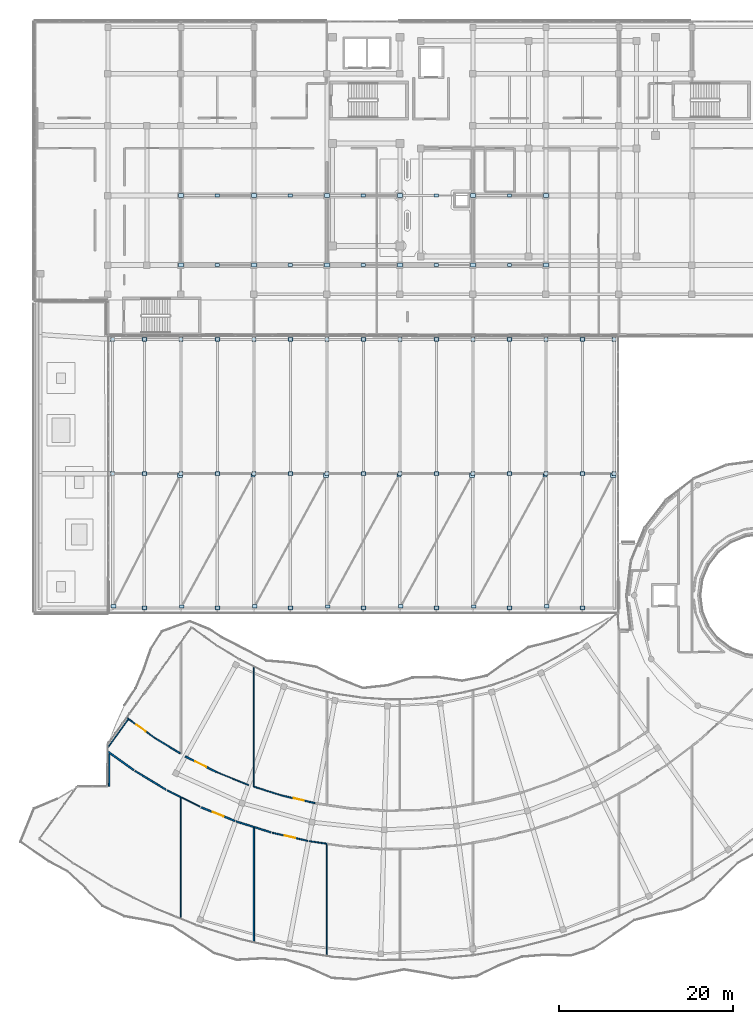
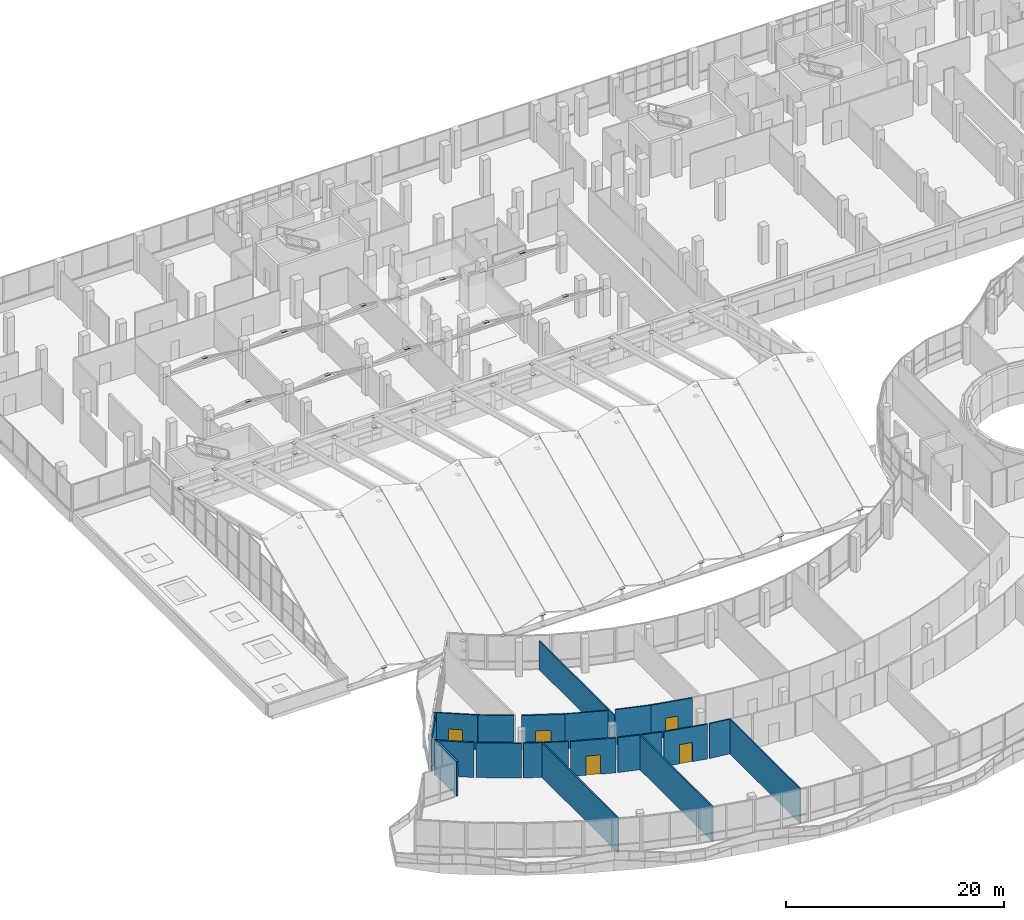
# One storey, part 159 of 184: 94 plates, 21 walls, 5 doors, 5 openings.
"""IFC4 building model written with IfcOpenShell, lengths in metres."""

from ifc_helpers import new_model, si_unit, direction, frame, frame_2d, origin, origin_2d, place, context, subcontext, project, spatial, rectangle, extrude, material, layer, layer_set, type_object, element, fill, save


model = new_model("IFC4")

# Units and contexts
model_context = context("Model", 3, precision=1e-05, world=origin(), true_north=direction((0.0, 1.0)))
body_context = subcontext(model_context, "Body", "Model", "MODEL_VIEW")
ifc_project = project(units=[si_unit("LENGTHUNIT", "METRE"), si_unit("AREAUNIT", "SQUARE_METRE"), si_unit("VOLUMEUNIT", "CUBIC_METRE"), si_unit("PLANEANGLEUNIT", "RADIAN"), si_unit("MASSUNIT", "GRAM", prefix="KILO")], contexts=[model_context])

# Site, building, storey
site_placement = place(None, origin())
site = spatial("IfcSite", under=ifc_project, at=site_placement, CompositionType="ELEMENT")
building_placement = place(site_placement, origin())
building = spatial("IfcBuilding", under=site, at=building_placement, Name="Selatvlak General Hospital", CompositionType="ELEMENT")
storey_placement = place(building_placement, frame((0.0, 0.0, 15.0)))
storey = spatial("IfcBuildingStorey", under=building, at=storey_placement, Name="L03", CompositionType="ELEMENT", Elevation=15.0)

# Plates
ifc_material_1 = material(Name="Steel S355", Category="steel")
ifc_layer_1 = layer(ifc_material_1, 0.02001953125, Name="Steel S355", Category="steel")
ifc_layer_set_1 = layer_set([ifc_layer_1], Name="Steel S355")
plate_type_1 = type_object("IfcPlateType", Name="PLT-GP-01", PredefinedType="USERDEFINED", material=ifc_layer_set_1)
for number, where, z_axis, x_axis, name in (
    (1, (39.4990234375, 67.81396484375, 6.77197265625), (0.0, 0.0, 1.0), (1.0, 0.0, 0.0), "Hall truss node gusset plate 04"),
    (2, (56.299072265625, 67.81396484375, 6.77197265625), (0.0, 0.0, 1.0), (1.0, 0.0, 0.0), "Hall truss node gusset plate 08"),
    (3, (73.09912109375, 67.81396484375, 6.77197265625), (0.0, 0.0, 1.0), (1.0, 0.0, 0.0), "Hall truss node gusset plate 12"),
    (4, (23.35009765625, 83.449951171875, 3.155029296875), (0.0, 0.0, 1.0), (1.0, 0.0, 0.0), "CHS column welded cap plate 03"),
    (5, (31.199951171875, 83.449951171875, 3.155029296875), (0.0, 0.0, 1.0), (1.0, 0.0, 0.0), "CHS column welded cap plate 06"),
    (6, (39.60009765625, 83.449951171875, 3.155029296875), (0.0, 0.0, 1.0), (1.0, 0.0, 0.0), "CHS column welded cap plate 09"),
    (7, (48.0, 83.449951171875, 3.155029296875), (0.0, 0.0, 1.0), (1.0, 0.0, 0.0), "CHS column welded cap plate 12"),
    (8, (56.39990234375, 83.449951171875, 3.155029296875), (0.0, 0.0, 1.0), (1.0, 0.0, 0.0), "CHS column welded cap plate 15"),
    (9, (64.800048828125, 83.449951171875, 3.155029296875), (0.0, 0.0, 1.0), (1.0, 0.0, 0.0), "CHS column welded cap plate 18"),
    (10, (73.199951171875, 83.449951171875, 3.155029296875), (0.0, 0.0, 1.0), (1.0, 0.0, 0.0), "CHS column welded cap plate 21"),
    (11, (81.050048828125, 83.449951171875, 3.155029296875), (0.0, 0.0, 1.0), (1.0, 0.0, 0.0), "CHS column welded cap plate 24"),
    (12, (27.0, 52.550048828125, -0.5390625), (0.0, 0.0, 1.0), (1.0, 0.0, 0.0), "Hall truss node gusset plate 015"),
    (13, (27.0, 68.0, 6.861083984375), (0.0, 0.0, 1.0), (1.0, 0.0, 0.0), "Hall truss node gusset plate 017"),
    (14, (23.35009765625, 68.0, 6.861083984375), (0.0, 0.0, 1.0), (1.0, 0.0, 0.0), "Hall truss node gusset plate 019"),
    (15, (31.199951171875, 68.0, 6.861083984375), (0.0, 0.0, 1.0), (1.0, 0.0, 0.0), "Hall truss node gusset plate 020"),
    (16, (27.0, 83.449951171875, 2.861083984375), (0.0, 0.0, 1.0), (1.0, 0.0, 0.0), "Hall truss node gusset plate 021"),
    (17, (35.39990234375, 52.550048828125, -0.5390625), (0.0, 0.0, 1.0), (1.0, 0.0, 0.0), "Hall truss node gusset plate 023"),
    (18, (35.39990234375, 68.0, 6.861083984375), (0.0, 0.0, 1.0), (1.0, 0.0, 0.0), "Hall truss node gusset plate 025"),
    (19, (39.60009765625, 68.0, 6.861083984375), (0.0, 0.0, 1.0), (1.0, 0.0, 0.0), "Hall truss node gusset plate 027"),
    (20, (35.39990234375, 83.449951171875, 2.861083984375), (0.0, 0.0, 1.0), (1.0, 0.0, 0.0), "Hall truss node gusset plate 028"),
    (21, (43.800048828125, 52.550048828125, -0.5390625), (0.0, 0.0, 1.0), (1.0, 0.0, 0.0), "Hall truss node gusset plate 030"),
    (22, (43.800048828125, 68.0, 6.861083984375), (0.0, 0.0, 1.0), (1.0, 0.0, 0.0), "Hall truss node gusset plate 032"),
    (23, (48.0, 68.0, 6.861083984375), (0.0, 0.0, 1.0), (1.0, 0.0, 0.0), "Hall truss node gusset plate 034"),
    (24, (43.800048828125, 83.449951171875, 2.861083984375), (0.0, 0.0, 1.0), (1.0, 0.0, 0.0), "Hall truss node gusset plate 035"),
    (25, (52.199951171875, 52.550048828125, -0.5390625), (0.0, 0.0, 1.0), (1.0, 0.0, 0.0), "Hall truss node gusset plate 037"),
    (26, (52.199951171875, 68.0, 6.861083984375), (0.0, 0.0, 1.0), (1.0, 0.0, 0.0), "Hall truss node gusset plate 039"),
    (27, (56.39990234375, 68.0, 6.861083984375), (0.0, 0.0, 1.0), (1.0, 0.0, 0.0), "Hall truss node gusset plate 041"),
    (28, (52.199951171875, 83.449951171875, 2.861083984375), (0.0, 0.0, 1.0), (1.0, 0.0, 0.0), "Hall truss node gusset plate 042"),
    (29, (60.60009765625, 52.550048828125, -0.5390625), (0.0, 0.0, 1.0), (1.0, 0.0, 0.0), "Hall truss node gusset plate 044"),
    (30, (60.60009765625, 68.0, 6.861083984375), (0.0, 0.0, 1.0), (1.0, 0.0, 0.0), "Hall truss node gusset plate 046"),
    (31, (64.800048828125, 68.0, 6.861083984375), (0.0, 0.0, 1.0), (1.0, 0.0, 0.0), "Hall truss node gusset plate 048"),
    (32, (60.60009765625, 83.449951171875, 2.861083984375), (0.0, 0.0, 1.0), (1.0, 0.0, 0.0), "Hall truss node gusset plate 049"),
    (33, (69.0, 52.550048828125, -0.5390625), (0.0, 0.0, 1.0), (1.0, 0.0, 0.0), "Hall truss node gusset plate 051"),
    (34, (69.0, 68.0, 6.861083984375), (0.0, 0.0, 1.0), (1.0, 0.0, 0.0), "Hall truss node gusset plate 053"),
    (35, (73.199951171875, 68.0, 6.861083984375), (0.0, 0.0, 1.0), (1.0, 0.0, 0.0), "Hall truss node gusset plate 055"),
    (36, (69.0, 83.449951171875, 2.861083984375), (0.0, 0.0, 1.0), (1.0, 0.0, 0.0), "Hall truss node gusset plate 056"),
    (37, (77.39990234375, 52.550048828125, -0.5390625), (0.0, 0.0, 1.0), (1.0, 0.0, 0.0), "Hall truss node gusset plate 058"),
    (38, (77.39990234375, 68.0, 6.861083984375), (0.0, 0.0, 1.0), (1.0, 0.0, 0.0), "Hall truss node gusset plate 060"),
    (39, (81.050048828125, 68.0, 6.861083984375), (0.0, 0.0, 1.0), (1.0, 0.0, 0.0), "Hall truss node gusset plate 062"),
    (40, (77.39990234375, 83.449951171875, 2.861083984375), (0.0, 0.0, 1.0), (1.0, 0.0, 0.0), "Hall truss node gusset plate 063"),
):
    element("IfcPlate", number, at=place(storey_placement, frame(where, z_axis=z_axis, x_axis=x_axis)), inside=storey, type_object=plate_type_1, Name=name, ObjectType="GUSSET_PLATE", PredefinedType="USERDEFINED", context=body_context, shape_type="SweptSolid", body=[
        extrude(rectangle(XDim=0.449951171875, YDim=0.449951171875, at=origin_2d()), origin(), (0.0, 0.0, 1.0), 0.02001953125),
    ])
ifc_layer_2 = layer(ifc_material_1, 0.02392578125, Name="Steel S355", Category="steel")
ifc_layer_set_2 = layer_set([ifc_layer_2], Name="Steel S355")
plate_type_2 = type_object("IfcPlateType", Name="PLT-GP-02", PredefinedType="USERDEFINED", material=ifc_layer_set_2)
for number, where, z_axis, x_axis, name in (
    (41, (23.446044921875, 52.739013671875, -0.449951171875), (0.0, 0.0, 1.0), (1.0, 0.0, 0.0), "Hall truss node gusset plate 01"),
    (42, (39.700927734375, 52.736083984375, -0.451904296875), (0.0, 0.0, 1.0), (1.0, 0.0, 0.0), "Hall truss node gusset plate 05"),
    (43, (56.5009765625, 52.736083984375, -0.451904296875), (0.0, 0.0, 1.0), (1.0, 0.0, 0.0), "Hall truss node gusset plate 09"),
    (44, (73.2958984375, 52.739013671875, -0.449951171875), (0.0, 0.0, 1.0), (1.0, 0.0, 0.0), "Hall truss node gusset plate 13"),
    (45, (27.0, 52.550048828125, 0.58203125), (0.0, 0.0, 1.0), (1.0, 0.0, 0.0), "Hall truss node gusset plate 016"),
    (46, (27.0, 68.0, 7.98193359375), (0.0, 0.0, 1.0), (1.0, 0.0, 0.0), "Hall truss node gusset plate 018"),
    (47, (27.0, 83.449951171875, 4.02099609375), (0.0, 0.0, 1.0), (1.0, 0.0, 0.0), "Hall truss node gusset plate 022"),
    (48, (35.39990234375, 52.550048828125, 0.58203125), (0.0, 0.0, 1.0), (1.0, 0.0, 0.0), "Hall truss node gusset plate 024"),
    (49, (35.39990234375, 68.0, 7.98193359375), (0.0, 0.0, 1.0), (1.0, 0.0, 0.0), "Hall truss node gusset plate 026"),
    (50, (35.39990234375, 83.449951171875, 4.02099609375), (0.0, 0.0, 1.0), (1.0, 0.0, 0.0), "Hall truss node gusset plate 029"),
    (51, (43.800048828125, 52.550048828125, 0.58203125), (0.0, 0.0, 1.0), (1.0, 0.0, 0.0), "Hall truss node gusset plate 031"),
    (52, (43.800048828125, 68.0, 7.98193359375), (0.0, 0.0, 1.0), (1.0, 0.0, 0.0), "Hall truss node gusset plate 033"),
    (53, (43.800048828125, 83.449951171875, 4.02099609375), (0.0, 0.0, 1.0), (1.0, 0.0, 0.0), "Hall truss node gusset plate 036"),
    (54, (52.199951171875, 52.550048828125, 0.58203125), (0.0, 0.0, 1.0), (1.0, 0.0, 0.0), "Hall truss node gusset plate 038"),
    (55, (52.199951171875, 68.0, 7.98193359375), (0.0, 0.0, 1.0), (1.0, 0.0, 0.0), "Hall truss node gusset plate 040"),
    (56, (52.199951171875, 83.449951171875, 4.02099609375), (0.0, 0.0, 1.0), (1.0, 0.0, 0.0), "Hall truss node gusset plate 043"),
    (57, (60.60009765625, 52.550048828125, 0.58203125), (0.0, 0.0, 1.0), (1.0, 0.0, 0.0), "Hall truss node gusset plate 045"),
    (58, (60.60009765625, 68.0, 7.98193359375), (0.0, 0.0, 1.0), (1.0, 0.0, 0.0), "Hall truss node gusset plate 047"),
    (59, (60.60009765625, 83.449951171875, 4.02099609375), (0.0, 0.0, 1.0), (1.0, 0.0, 0.0), "Hall truss node gusset plate 050"),
    (60, (69.0, 52.550048828125, 0.58203125), (0.0, 0.0, 1.0), (1.0, 0.0, 0.0), "Hall truss node gusset plate 052"),
    (61, (69.0, 68.0, 7.98193359375), (0.0, 0.0, 1.0), (1.0, 0.0, 0.0), "Hall truss node gusset plate 054"),
    (62, (69.0, 83.449951171875, 4.02099609375), (0.0, 0.0, 1.0), (1.0, 0.0, 0.0), "Hall truss node gusset plate 057"),
    (63, (77.39990234375, 52.550048828125, 0.58203125), (0.0, 0.0, 1.0), (1.0, 0.0, 0.0), "Hall truss node gusset plate 059"),
    (64, (77.39990234375, 68.0, 7.98193359375), (0.0, 0.0, 1.0), (1.0, 0.0, 0.0), "Hall truss node gusset plate 061"),
    (65, (77.39990234375, 83.449951171875, 4.02099609375), (0.0, 0.0, 1.0), (1.0, 0.0, 0.0), "Hall truss node gusset plate 064"),
):
    element("IfcPlate", number, at=place(storey_placement, frame(where, z_axis=z_axis, x_axis=x_axis)), inside=storey, type_object=plate_type_2, Name=name, ObjectType="GUSSET_PLATE", PredefinedType="USERDEFINED", context=body_context, shape_type="SweptSolid", body=[
        extrude(rectangle(XDim=0.550048828125, YDim=0.39990234375, at=origin_2d()), origin(), (0.0, 0.0, 1.0), 0.02392578125),
    ])
ifc_layer_3 = layer(ifc_material_1, 0.02490234375, Name="Steel S355", Category="steel")
ifc_layer_set_3 = layer_set([ifc_layer_3], Name="Steel S355")
plate_type_3 = type_object("IfcPlateType", Name="PLT-GP-03", PredefinedType="USERDEFINED", material=ifc_layer_set_3)
for number, where, z_axis, x_axis, name in (
    (66, (31.10400390625, 67.81103515625, 6.767578125), (0.0, 0.0, 1.0), (1.0, 0.0, 0.0), "Hall truss node gusset plate 02"),
    (67, (47.89892578125, 67.81396484375, 6.76953125), (0.0, 0.0, 1.0), (1.0, 0.0, 0.0), "Hall truss node gusset plate 06"),
    (68, (64.698974609375, 67.81396484375, 6.76953125), (0.0, 0.0, 1.0), (1.0, 0.0, 0.0), "Hall truss node gusset plate 10"),
    (69, (80.9541015625, 67.81103515625, 6.767578125), (0.0, 0.0, 1.0), (1.0, 0.0, 0.0), "Hall truss node gusset plate 14"),
    (70, (31.199951171875, 92.0, 2.9375), (0.0, 0.0, 1.0), (1.0, 0.0, 0.0), "Interstitial truss node gusset plate 065"),
    (71, (39.60009765625, 92.0, 2.9375), (0.0, 0.0, 1.0), (1.0, 0.0, 0.0), "Interstitial truss node gusset plate 066"),
    (72, (31.199951171875, 100.0, 2.9375), (0.0, 0.0, 1.0), (1.0, 0.0, 0.0), "Interstitial truss node gusset plate 068"),
    (73, (39.60009765625, 100.0, 2.9375), (0.0, 0.0, 1.0), (1.0, 0.0, 0.0), "Interstitial truss node gusset plate 069"),
    (74, (48.0, 92.0, 2.9375), (0.0, 0.0, 1.0), (1.0, 0.0, 0.0), "Interstitial truss node gusset plate 071"),
    (75, (48.0, 100.0, 2.9375), (0.0, 0.0, 1.0), (1.0, 0.0, 0.0), "Interstitial truss node gusset plate 073"),
    (76, (56.39990234375, 92.0, 2.9375), (0.0, 0.0, 1.0), (1.0, 0.0, 0.0), "Interstitial truss node gusset plate 075"),
    (77, (56.39990234375, 100.0, 2.9375), (0.0, 0.0, 1.0), (1.0, 0.0, 0.0), "Interstitial truss node gusset plate 077"),
    (78, (64.800048828125, 92.0, 2.9375), (0.0, 0.0, 1.0), (1.0, 0.0, 0.0), "Interstitial truss node gusset plate 079"),
    (79, (64.800048828125, 100.0, 2.9375), (0.0, 0.0, 1.0), (1.0, 0.0, 0.0), "Interstitial truss node gusset plate 081"),
    (80, (73.199951171875, 92.0, 2.9375), (0.0, 0.0, 1.0), (1.0, 0.0, 0.0), "Interstitial truss node gusset plate 083"),
    (81, (73.199951171875, 100.0, 2.9375), (0.0, 0.0, 1.0), (1.0, 0.0, 0.0), "Interstitial truss node gusset plate 085"),
):
    element("IfcPlate", number, at=place(storey_placement, frame(where, z_axis=z_axis, x_axis=x_axis)), inside=storey, type_object=plate_type_3, Name=name, ObjectType="GUSSET_PLATE", PredefinedType="USERDEFINED", context=body_context, shape_type="SweptSolid", body=[
        extrude(rectangle(XDim=0.60009765625, YDim=0.5, at=origin_2d()), origin(), (0.0, 0.0, 1.0), 0.02490234375),
    ])
ifc_layer_4 = layer(ifc_material_1, 0.01806640625, Name="Steel S355", Category="steel")
ifc_layer_set_4 = layer_set([ifc_layer_4], Name="Steel S355")
plate_type_4 = type_object("IfcPlateType", Name="PLT-GP-04", PredefinedType="USERDEFINED", material=ifc_layer_set_4)
for number, where, z_axis, x_axis, name in (
    (82, (31.301025390625, 52.736083984375, -0.448974609375), (0.0, 0.0, 1.0), (1.0, 0.0, 0.0), "Hall truss node gusset plate 03"),
    (83, (48.10107421875, 52.736083984375, -0.448974609375), (0.0, 0.0, 1.0), (1.0, 0.0, 0.0), "Hall truss node gusset plate 07"),
    (84, (64.90087890625, 52.736083984375, -0.448974609375), (0.0, 0.0, 1.0), (1.0, 0.0, 0.0), "Hall truss node gusset plate 11"),
    (85, (35.39990234375, 92.0, 3.510986328125), (0.0, 0.0, 1.0), (1.0, 0.0, 0.0), "Interstitial truss node gusset plate 067"),
    (86, (35.39990234375, 100.0, 3.510986328125), (0.0, 0.0, 1.0), (1.0, 0.0, 0.0), "Interstitial truss node gusset plate 070"),
    (87, (43.800048828125, 92.0, 3.510986328125), (0.0, 0.0, 1.0), (1.0, 0.0, 0.0), "Interstitial truss node gusset plate 072"),
    (88, (43.800048828125, 100.0, 3.510986328125), (0.0, 0.0, 1.0), (1.0, 0.0, 0.0), "Interstitial truss node gusset plate 074"),
    (89, (52.199951171875, 92.0, 3.510986328125), (0.0, 0.0, 1.0), (1.0, 0.0, 0.0), "Interstitial truss node gusset plate 076"),
    (90, (52.199951171875, 100.0, 3.510986328125), (0.0, 0.0, 1.0), (1.0, 0.0, 0.0), "Interstitial truss node gusset plate 078"),
    (91, (60.60009765625, 92.0, 3.510986328125), (0.0, 0.0, 1.0), (1.0, 0.0, 0.0), "Interstitial truss node gusset plate 080"),
    (92, (60.60009765625, 100.0, 3.510986328125), (0.0, 0.0, 1.0), (1.0, 0.0, 0.0), "Interstitial truss node gusset plate 082"),
    (93, (69.0, 92.0, 3.510986328125), (0.0, 0.0, 1.0), (1.0, 0.0, 0.0), "Interstitial truss node gusset plate 084"),
    (94, (69.0, 100.0, 3.510986328125), (0.0, 0.0, 1.0), (1.0, 0.0, 0.0), "Interstitial truss node gusset plate 086"),
):
    element("IfcPlate", number, at=place(storey_placement, frame(where, z_axis=z_axis, x_axis=x_axis)), inside=storey, type_object=plate_type_4, Name=name, ObjectType="GUSSET_PLATE", PredefinedType="USERDEFINED", context=body_context, shape_type="SweptSolid", body=[
        extrude(rectangle(XDim=0.5, YDim=0.35009765625, at=origin_2d()), origin(), (0.0, 0.0, 1.0), 0.01806640625),
    ])

# Walls
ifc_material_2 = material(Name="Acoustic gypsum stud partition")
ifc_layer_5 = layer(ifc_material_2, 0.179931640625, Name="Acoustic gypsum stud partition")
ifc_layer_set_5 = layer_set([ifc_layer_5], Name="Acoustic gypsum stud partition")
wall_type_1 = type_object("IfcWallType", Name="WALL-PT-01", PredefinedType="PARTITIONING", material=ifc_layer_set_5)
wall_1_placement = place(storey_placement, frame((22.93994140625, 32.02490234375, 0.0), z_axis=(0.0, 0.0, 1.0), x_axis=(0.0, 1.0, 0.0)))
element("IfcWall", 95, at=wall_1_placement, inside=storey, type_object=wall_type_1, Name="L03 clinical partition PT-L03-1380", PredefinedType="PARTITIONING", context=body_context, shape_type="SweptSolid", body=[
    extrude(rectangle(XDim=3.72119140625, YDim=0.179931640625, at=frame_2d((1.860595703125, 0.0))), origin(), (0.0, 0.0, 1.0), 3.89501953125),
])
wall_2_placement = place(storey_placement, frame((22.81103515625, 36.031005859375, 0.0), z_axis=(0.0, 0.0, 1.0), x_axis=(0.811746017574, -0.584010618869, 0.0)))
element("IfcWall", 96, at=wall_2_placement, inside=storey, type_object=wall_type_1, Name="L03 clinical partition PT-L03-1385", PredefinedType="PARTITIONING", context=body_context, shape_type="SweptSolid", body=[
    extrude(rectangle(XDim=3.65234375, YDim=0.179931640625, at=frame_2d((1.826171875, 0.0))), origin(), (0.0, 0.0, 1.0), 3.89501953125),
])

# Wall, opening, door
wall_3_placement = place(storey_placement, frame((33.5400390625, 29.614990234375, 0.0), z_axis=(0.0, 0.0, 1.0), x_axis=(0.926870756001, -0.375380609075, 0.0)))
wall_3 = element("IfcWall", 97, at=wall_3_placement, inside=storey, type_object=wall_type_1, Name="L03 clinical partition PT-L03-1390", PredefinedType="PARTITIONING", context=body_context, shape_type="SweptSolid", body=[
    extrude(rectangle(XDim=4.174072265625, YDim=0.179931640625, at=frame_2d((2.0869140625, 0.0))), origin(), (0.0, 0.0, 1.0), 3.89501953125),
])
opening_1_placement = place(wall_3_placement, frame((1.412109375, 0.0, 0.0)))
opening_1 = element("IfcOpeningElement", 98, at=opening_1_placement, cuts=wall_3, Name="Opening D-10", PredefinedType="OPENING", context=body_context, shape_type="SweptSolid", body=[
    extrude(rectangle(XDim=1.35009765625, YDim=2.14990234375, at=frame_2d((0.675048828125, 1.074951171875))), frame((0.0, 0.099853515625, 0.0), z_axis=(0.0, -1.0, 0.0), x_axis=(1.0, 0.0, 0.0)), (0.0, 0.0, 1.0), 0.199951171875),
])
ifc_material_3 = material(Name="Single patient bed door")
door_type_1 = type_object("IfcDoorType", Name="DOOR-D-10", OperationType="NOTDEFINED", PredefinedType="DOOR", material=ifc_material_3)
door_1_placement = place(opening_1_placement, origin())
door_1 = element("IfcDoor", 99, at=door_1_placement, inside=storey, type_object=door_type_1, Name="L03 Renal Haemodialysis Suite 02 door", OperationType="SINGLE_SWING_LEFT", OverallHeight=2.14990234375, OverallWidth=1.35009765625, PredefinedType="DOOR", context=body_context, shape_type="SweptSolid", body=[
    extrude(rectangle(XDim=1.35009765625, YDim=2.14990234375, at=frame_2d((0.675048828125, 1.074951171875))), frame((0.0, 0.02490234375, 0.0), z_axis=(0.0, -1.0, 0.0), x_axis=(1.0, 0.0, 0.0)), (0.0, 0.0, 1.0), 0.050048828125),
])
fill(opening_1, door_1)

wall_4_placement = place(storey_placement, frame((35.281005859375, 33.677978515625, 0.0), z_axis=(0.0, 0.0, 1.0), x_axis=(-0.894072773978, 0.447921728464, 0.0)))
wall_4 = element("IfcWall", 100, at=wall_4_placement, inside=storey, type_object=wall_type_1, Name="L03 clinical partition PT-L03-1395", PredefinedType="PARTITIONING", context=body_context, shape_type="SweptSolid", body=[
    extrude(rectangle(XDim=3.99853515625, YDim=0.179931640625, at=frame_2d((1.999267578125, 0.0))), origin(), (0.0, 0.0, 1.0), 3.89501953125),
])
opening_2_placement = place(wall_4_placement, frame((1.299072265625, 0.0, 0.0)))
opening_2 = element("IfcOpeningElement", 101, at=opening_2_placement, cuts=wall_4, Name="Opening D-11", PredefinedType="OPENING", context=body_context, shape_type="SweptSolid", body=[
    extrude(rectangle(XDim=1.39990234375, YDim=2.14990234375, at=frame_2d((0.699951171875, 1.074951171875))), frame((0.0, 0.099853515625, 0.0), z_axis=(0.0, -1.0, 0.0), x_axis=(1.0, 0.0, 0.0)), (0.0, 0.0, 1.0), 0.199951171875),
])
ifc_material_4 = material(Name="Inpatient suite bed door")
door_type_2 = type_object("IfcDoorType", Name="DOOR-D-11", OperationType="NOTDEFINED", PredefinedType="DOOR", material=ifc_material_4)
door_2_placement = place(opening_2_placement, origin())
door_2 = element("IfcDoor", 102, at=door_2_placement, inside=storey, type_object=door_type_2, Name="L03 Oncology Aseptic Pharmacy 03 door", OperationType="SINGLE_SWING_RIGHT", OverallHeight=2.14990234375, OverallWidth=1.39990234375, PredefinedType="DOOR", context=body_context, shape_type="SweptSolid", body=[
    extrude(rectangle(XDim=1.39990234375, YDim=2.14990234375, at=frame_2d((0.699951171875, 1.074951171875))), frame((0.0, 0.02490234375, 0.0), z_axis=(0.0, -1.0, 0.0), x_axis=(1.0, 0.0, 0.0)), (0.0, 0.0, 1.0), 0.050048828125),
])
fill(opening_2, door_2)

# Walls
ifc_layer_6 = layer(ifc_material_2, 0.1650390625, Name="Acoustic gypsum stud partition")
ifc_layer_set_6 = layer_set([ifc_layer_6], Name="Acoustic gypsum stud partition")
wall_type_2 = type_object("IfcWallType", Name="WALL-PT-02", PredefinedType="PARTITIONING", material=ifc_layer_set_6)
wall_5_placement = place(storey_placement, frame((25.922119140625, 33.801025390625, 0.0), z_axis=(0.0, 0.0, 1.0), x_axis=(0.855707289443, -0.517460177013, 0.0)))
element("IfcWall", 103, at=wall_5_placement, inside=storey, type_object=wall_type_2, Name="L03 clinical partition PT-L03-1386", PredefinedType="PARTITIONING", context=body_context, shape_type="SweptSolid", body=[
    extrude(rectangle(XDim=4.174072265625, YDim=0.1650390625, at=frame_2d((2.0869140625, 0.0))), origin(), (0.0, 0.0, 1.0), 3.89501953125),
])
wall_6_placement = place(storey_placement, frame((37.574951171875, 27.988037109375, 0.0), z_axis=(0.0, 0.0, 1.0), x_axis=(0.953796174372, -0.300454418762, 0.0)))
element("IfcWall", 104, at=wall_6_placement, inside=storey, type_object=wall_type_2, Name="L03 clinical partition PT-L03-1391", PredefinedType="PARTITIONING", context=body_context, shape_type="SweptSolid", body=[
    extrude(rectangle(XDim=2.123291015625, YDim=0.1650390625, at=frame_2d((1.0615234375, 0.0))), origin(), (0.0, 0.0, 1.0), 3.89501953125),
])
wall_7_placement = place(storey_placement, frame((39.6708984375, 27.327880859375, 0.0), z_axis=(0.0, 0.0, 1.0), x_axis=(0.953625588609, -0.300995409849, 0.0)))
element("IfcWall", 105, at=wall_7_placement, inside=storey, type_object=wall_type_2, Name="L03 clinical partition PT-L03-1396", PredefinedType="PARTITIONING", context=body_context, shape_type="SweptSolid", body=[
    extrude(rectangle(XDim=1.9765625, YDim=0.1650390625, at=frame_2d((0.98828125, 0.0))), origin(), (0.0, 0.0, 1.0), 3.89501953125),
])
ifc_layer_7 = layer(ifc_material_2, 0.14990234375, Name="Acoustic gypsum stud partition")
ifc_layer_set_7 = layer_set([ifc_layer_7], Name="Acoustic gypsum stud partition")
wall_type_3 = type_object("IfcWallType", Name="WALL-PT-03", PredefinedType="PARTITIONING", material=ifc_layer_set_7)
wall_8_placement = place(storey_placement, frame((31.12109375, 35.822021484375, 0.0), z_axis=(0.0, 0.0, 1.0), x_axis=(-0.855576480655, 0.517676429588, 0.0)))
element("IfcWall", 106, at=wall_8_placement, inside=storey, type_object=wall_type_3, Name="L03 clinical partition PT-L03-1382", PredefinedType="PARTITIONING", context=body_context, shape_type="SweptSolid", body=[
    extrude(rectangle(XDim=3.31494140625, YDim=0.14990234375, at=frame_2d((1.657470703125, 0.0))), origin(), (0.0, 0.0, 1.0), 3.89501953125),
])
wall_9_placement = place(storey_placement, frame((29.64794921875, 31.555908203125, 0.0), z_axis=(0.0, 0.0, 1.0), x_axis=(0.894230168264, -0.447607424165, 0.0)))
element("IfcWall", 107, at=wall_9_placement, inside=storey, type_object=wall_type_3, Name="L03 clinical partition PT-L03-1387", PredefinedType="PARTITIONING", context=body_context, shape_type="SweptSolid", body=[
    extrude(rectangle(XDim=1.735595703125, YDim=0.14990234375, at=frame_2d((0.86767578125, 0.0))), origin(), (0.0, 0.0, 1.0), 3.89501953125),
])
wall_10_placement = place(storey_placement, frame((39.60009765625, 27.35009765625, 0.0), z_axis=(0.0, 0.0, 1.0), x_axis=(0.0, -1.0, 0.0)))
element("IfcWall", 108, at=wall_10_placement, inside=storey, type_object=wall_type_3, Name="L03 clinical partition PT-L03-1392", PredefinedType="PARTITIONING", context=body_context, shape_type="SweptSolid", body=[
    extrude(rectangle(XDim=13.274169921875, YDim=0.14990234375, at=frame_2d((6.63720703125, 0.0))), origin(), (0.0, 0.0, 1.0), 3.89501953125),
])

# Wall, opening, door
wall_11_placement = place(storey_placement, frame((41.72509765625, 26.68701171875, 0.0), z_axis=(0.0, 0.0, 1.0), x_axis=(0.974584054813, -0.224022141996, 0.0)))
wall_11 = element("IfcWall", 109, at=wall_11_placement, inside=storey, type_object=wall_type_3, Name="L03 clinical partition PT-L03-1397", PredefinedType="PARTITIONING", context=body_context, shape_type="SweptSolid", body=[
    extrude(rectangle(XDim=4.174072265625, YDim=0.14990234375, at=frame_2d((2.0869140625, 0.0))), origin(), (0.0, 0.0, 1.0), 3.89501953125),
])
opening_3_placement = place(wall_11_placement, frame((1.4619140625, 0.0, 0.0)))
opening_3 = element("IfcOpeningElement", 110, at=opening_3_placement, cuts=wall_11, Name="Opening D-08", PredefinedType="OPENING", context=body_context, shape_type="SweptSolid", body=[
    extrude(rectangle(XDim=1.25, YDim=2.14990234375, at=frame_2d((0.625, 1.074951171875))), frame((0.0, 0.0849609375, 0.0), z_axis=(0.0, -1.0, 0.0), x_axis=(1.0, 0.0, 0.0)), (0.0, 0.0, 1.0), 0.169921875),
])
ifc_material_5 = material(Name="Diagnostic treatment door")
door_type_3 = type_object("IfcDoorType", Name="DOOR-D-08", OperationType="NOTDEFINED", PredefinedType="DOOR", material=ifc_material_5)
door_3_placement = place(opening_3_placement, origin())
door_3 = element("IfcDoor", 111, at=door_3_placement, inside=storey, type_object=door_type_3, Name="L03 Day Oncology Chemotherapy Lounge 04 door", OperationType="SINGLE_SWING_LEFT", OverallHeight=2.14990234375, OverallWidth=1.25, PredefinedType="DOOR", context=body_context, shape_type="SweptSolid", body=[
    extrude(rectangle(XDim=1.25, YDim=2.14990234375, at=frame_2d((0.625, 1.074951171875))), frame((0.0, 0.02490234375, 0.0), z_axis=(0.0, -1.0, 0.0), x_axis=(1.0, 0.0, 0.0)), (0.0, 0.0, 1.0), 0.050048828125),
])
fill(opening_3, door_3)

wall_12_placement = place(storey_placement, frame((46.697021484375, 30.080078125, 0.0), z_axis=(0.0, 0.0, 1.0), x_axis=(-0.974613054852, 0.223895943044, 0.0)))
wall_12 = element("IfcWall", 112, at=wall_12_placement, inside=storey, type_object=wall_type_3, Name="L03 clinical partition PT-L03-1402", PredefinedType="PARTITIONING", context=body_context, shape_type="SweptSolid", body=[
    extrude(rectangle(XDim=3.99755859375, YDim=0.14990234375, at=frame_2d((1.998779296875, 0.0))), origin(), (0.0, 0.0, 1.0), 3.89501953125),
])
opening_4_placement = place(wall_12_placement, frame((1.39892578125, 0.0, 0.0)))
opening_4 = element("IfcOpeningElement", 113, at=opening_4_placement, cuts=wall_12, Name="Opening D-23", PredefinedType="OPENING", context=body_context, shape_type="SweptSolid", body=[
    extrude(rectangle(XDim=1.199951171875, YDim=2.14990234375, at=frame_2d((0.60009765625, 1.074951171875))), frame((0.0, 0.0849609375, 0.0), z_axis=(0.0, -1.0, 0.0), x_axis=(1.0, 0.0, 0.0)), (0.0, 0.0, 1.0), 0.169921875),
])
ifc_material_6 = material(Name="Endoscopy clinical door")
door_type_4 = type_object("IfcDoorType", Name="DOOR-D-23", OperationType="NOTDEFINED", PredefinedType="DOOR", material=ifc_material_6)
door_4_placement = place(opening_4_placement, origin())
door_4 = element("IfcDoor", 114, at=door_4_placement, inside=storey, type_object=door_type_4, Name="L03 Renal Haemodialysis Suite 05 door", OperationType="SINGLE_SWING_RIGHT", OverallHeight=2.14990234375, OverallWidth=1.199951171875, PredefinedType="DOOR", context=body_context, shape_type="SweptSolid", body=[
    extrude(rectangle(XDim=1.199951171875, YDim=2.14990234375, at=frame_2d((0.60009765625, 1.074951171875))), frame((0.0, 0.02490234375, 0.0), z_axis=(0.0, -1.0, 0.0), x_axis=(1.0, 0.0, 0.0)), (0.0, 0.0, 1.0), 0.050048828125),
])
fill(opening_4, door_4)

ifc_material_7 = material(Name="Moisture-resistant clinical partition")
ifc_layer_8 = layer(ifc_material_7, 0.135009765625, Name="Moisture-resistant clinical partition")
ifc_layer_set_8 = layer_set([ifc_layer_8], Name="Moisture-resistant clinical partition")
wall_type_4 = type_object("IfcWallType", Name="WALL-PT-04", PredefinedType="PARTITIONING", material=ifc_layer_set_8)
wall_13_placement = place(storey_placement, frame((28.284912109375, 37.5380859375, 0.0), z_axis=(0.0, 0.0, 1.0), x_axis=(-0.811886633155, 0.583815120482, 0.0)))
wall_13 = element("IfcWall", 115, at=wall_13_placement, inside=storey, type_object=wall_type_4, Name="L03 clinical partition PT-L03-1383", PredefinedType="PARTITIONING", context=body_context, shape_type="SweptSolid", body=[
    extrude(rectangle(XDim=4.072998046875, YDim=0.135009765625, at=frame_2d((2.03662109375, 0.0))), origin(), (0.0, 0.0, 1.0), 3.89501953125),
])
opening_5_placement = place(wall_13_placement, frame((1.386962890625, 0.0, 0.0)))
opening_5 = element("IfcOpeningElement", 116, at=opening_5_placement, cuts=wall_13, Name="Opening D-09", PredefinedType="OPENING", context=body_context, shape_type="SweptSolid", body=[
    extrude(rectangle(XDim=1.300048828125, YDim=2.14990234375, at=frame_2d((0.64990234375, 1.074951171875))), frame((0.0, 0.077392578125, 0.0), z_axis=(0.0, -1.0, 0.0), x_axis=(1.0, 0.0, 0.0)), (0.0, 0.0, 1.0), 0.155029296875),
])
ifc_material_8 = material(Name="Outpatient procedure door")
door_type_5 = type_object("IfcDoorType", Name="DOOR-D-09", OperationType="NOTDEFINED", PredefinedType="DOOR", material=ifc_material_8)
door_5_placement = place(opening_5_placement, origin())
door_5 = element("IfcDoor", 117, at=door_5_placement, inside=storey, type_object=door_type_5, Name="L03 Day Oncology Chemotherapy Lounge 01 door", OperationType="SINGLE_SWING_RIGHT", OverallHeight=2.14990234375, OverallWidth=1.300048828125, PredefinedType="DOOR", context=body_context, shape_type="SweptSolid", body=[
    extrude(rectangle(XDim=1.300048828125, YDim=2.14990234375, at=frame_2d((0.64990234375, 1.074951171875))), frame((0.0, 0.02490234375, 0.0), z_axis=(0.0, -1.0, 0.0), x_axis=(1.0, 0.0, 0.0)), (0.0, 0.0, 1.0), 0.050048828125),
])
fill(opening_5, door_5)

# Walls
wall_14_placement = place(storey_placement, frame((31.199951171875, 30.779052734375, 0.0), z_axis=(0.0, 0.0, 1.0), x_axis=(0.0, -1.0, 0.0)))
element("IfcWall", 118, at=wall_14_placement, inside=storey, type_object=wall_type_4, Name="L03 clinical partition PT-L03-1388", PredefinedType="PARTITIONING", context=body_context, shape_type="SweptSolid", body=[
    extrude(rectangle(XDim=13.989990234375, YDim=0.135009765625, at=frame_2d((6.9951171875, 0.0))), origin(), (0.0, 0.0, 1.0), 3.89501953125),
])
wall_15_placement = place(storey_placement, frame((39.60009765625, 45.7939453125, 0.0), z_axis=(0.0, 0.0, 1.0), x_axis=(0.0, -1.0, 0.0)))
element("IfcWall", 119, at=wall_15_placement, inside=storey, type_object=wall_type_4, Name="L03 clinical partition PT-L03-1393", PredefinedType="PARTITIONING", context=body_context, shape_type="SweptSolid", body=[
    extrude(rectangle(XDim=13.81005859375, YDim=0.135009765625, at=frame_2d((6.905029296875, 0.0))), origin(), (0.0, 0.0, 1.0), 3.2099609375),
])
wall_16_placement = place(storey_placement, frame((45.966064453125, 25.719970703125, 0.0), z_axis=(0.0, 0.0, 1.0), x_axis=(0.989293174374, -0.145941821067, 0.0)))
element("IfcWall", 120, at=wall_16_placement, inside=storey, type_object=wall_type_4, Name="L03 clinical partition PT-L03-1398", PredefinedType="PARTITIONING", context=body_context, shape_type="SweptSolid", body=[
    extrude(rectangle(XDim=2.055908203125, YDim=0.135009765625, at=frame_2d((1.02783203125, 0.0))), origin(), (0.0, 0.0, 1.0), 3.89501953125),
])
wall_17_placement = place(storey_placement, frame((42.801025390625, 30.97509765625, 0.0), z_axis=(0.0, 0.0, 1.0), x_axis=(-0.953756214308, 0.300581243042, 0.0)))
element("IfcWall", 121, at=wall_17_placement, inside=storey, type_object=wall_type_4, Name="L03 clinical partition PT-L03-1403", PredefinedType="PARTITIONING", context=body_context, shape_type="SweptSolid", body=[
    extrude(rectangle(XDim=3.356201171875, YDim=0.135009765625, at=frame_2d((1.67822265625, 0.0))), origin(), (0.0, 0.0, 1.0), 3.89501953125),
])
ifc_layer_9 = layer(ifc_material_7, 0.1201171875, Name="Moisture-resistant clinical partition")
ifc_layer_set_9 = layer_set([ifc_layer_9], Name="Moisture-resistant clinical partition")
wall_type_5 = type_object("IfcWallType", Name="WALL-PT-05", PredefinedType="PARTITIONING", material=ifc_layer_set_9)
wall_18_placement = place(storey_placement, frame((25.126953125, 39.73095703125, 0.0), z_axis=(0.0, 0.0, 1.0), x_axis=(-0.584084011486, -0.811693210225, 0.0)))
element("IfcWall", 122, at=wall_18_placement, inside=storey, type_object=wall_type_5, Name="L03 clinical partition PT-L03-1384", PredefinedType="PARTITIONING", context=body_context, shape_type="SweptSolid", body=[
    extrude(rectangle(XDim=3.96337890625, YDim=0.1201171875, at=frame_2d((1.981689453125, 0.0))), origin(), (0.0, 0.0, 1.0), 3.89501953125),
])
wall_19_placement = place(storey_placement, frame((31.263916015625, 30.7470703125, 0.0), z_axis=(0.0, 0.0, 1.0), x_axis=(0.894076176451, -0.447914936905, 0.0)))
element("IfcWall", 123, at=wall_19_placement, inside=storey, type_object=wall_type_5, Name="L03 clinical partition PT-L03-1389", PredefinedType="PARTITIONING", context=body_context, shape_type="SweptSolid", body=[
    extrude(rectangle(XDim=2.36669921875, YDim=0.1201171875, at=frame_2d((1.183349609375, 0.0))), origin(), (0.0, 0.0, 1.0), 3.89501953125),
])
wall_20_placement = place(storey_placement, frame((38.987060546875, 32.177001953125, 0.0), z_axis=(0.0, 0.0, 1.0), x_axis=(-0.926867919325, 0.375387613176, 0.0)))
element("IfcWall", 124, at=wall_20_placement, inside=storey, type_object=wall_type_5, Name="L03 clinical partition PT-L03-1394", PredefinedType="PARTITIONING", context=body_context, shape_type="SweptSolid", body=[
    extrude(rectangle(XDim=3.99853515625, YDim=0.1201171875, at=frame_2d((1.999267578125, 0.0))), origin(), (0.0, 0.0, 1.0), 3.89501953125),
])
wall_21_placement = place(storey_placement, frame((48.0, 25.419921875, 0.0), z_axis=(0.0, 0.0, 1.0), x_axis=(0.0, -1.0, 0.0)))
element("IfcWall", 125, at=wall_21_placement, inside=storey, type_object=wall_type_5, Name="L03 clinical partition PT-L03-1399", PredefinedType="PARTITIONING", context=body_context, shape_type="SweptSolid", body=[
    extrude(rectangle(XDim=12.905029296875, YDim=0.1201171875, at=frame_2d((6.45263671875, 0.0))), origin(), (0.0, 0.0, 1.0), 3.89501953125),
])

save(model, "model.ifc")
